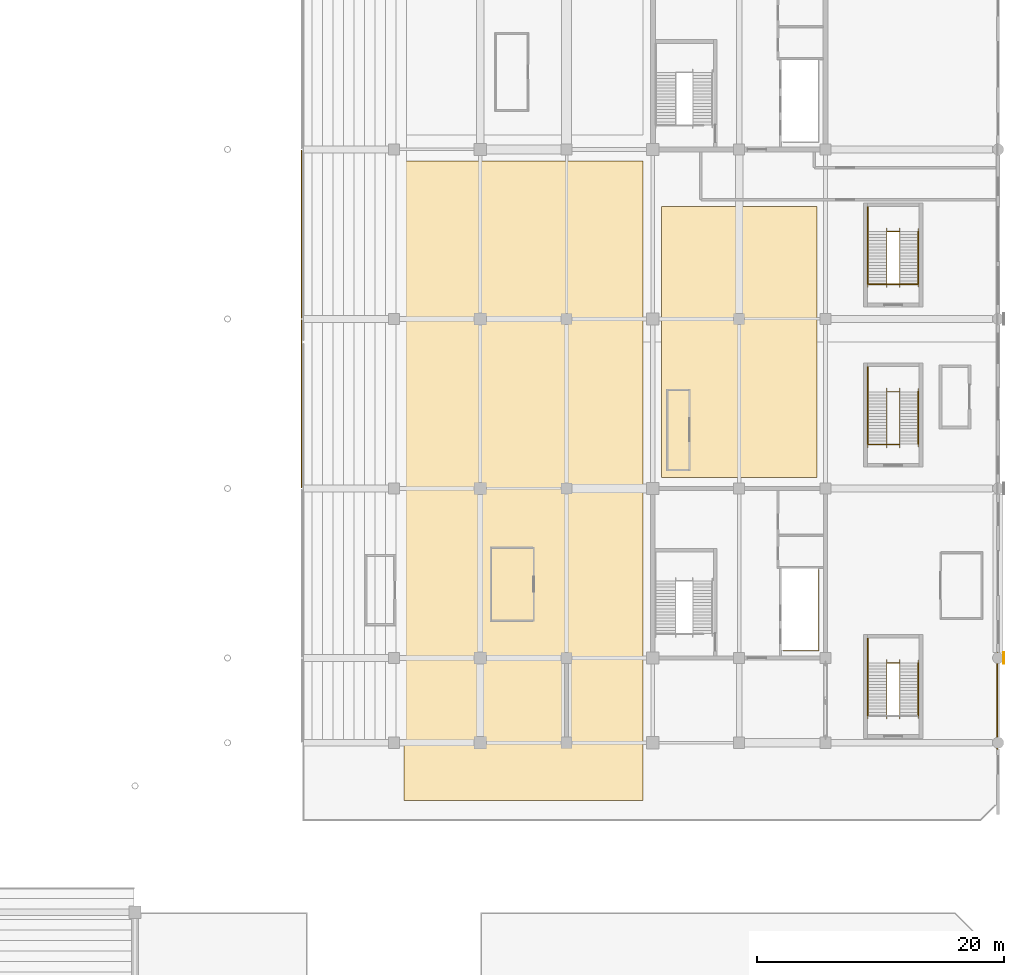
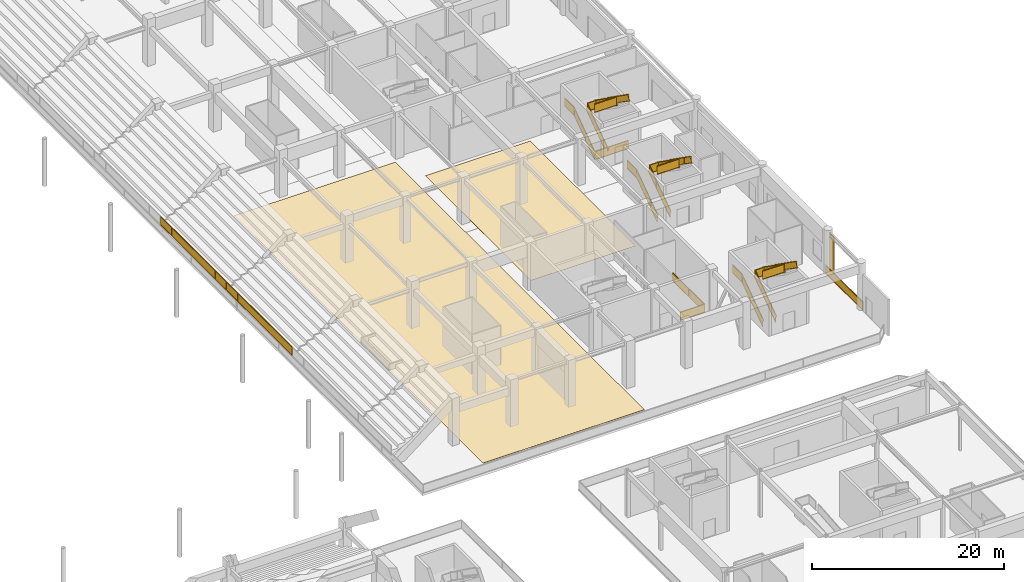
# One storey, part 65 of 73: 14 railings, 3 coverings.
"""IFC4 building model written with IfcOpenShell, lengths in metres."""

from ifc_helpers import new_model, si_unit, direction, frame, origin, origin_2d, place, context, subcontext, project, spatial, polyline, rectangle, outline, extrude, material, layer, layer_set, type_object, element, save


model = new_model("IFC4")

# Units and contexts
model_context = context("Model", 3, precision=1e-05, world=origin(), true_north=direction((0.0, 1.0)))
body_context = subcontext(model_context, "Body", "Model", "MODEL_VIEW")
ifc_project = project(units=[si_unit("LENGTHUNIT", "METRE"), si_unit("AREAUNIT", "SQUARE_METRE"), si_unit("VOLUMEUNIT", "CUBIC_METRE"), si_unit("PLANEANGLEUNIT", "RADIAN"), si_unit("MASSUNIT", "GRAM", prefix="KILO")], contexts=[model_context])

# Site, building, storey
site_placement = place(None, origin())
site = spatial("IfcSite", under=ifc_project, at=site_placement, CompositionType="ELEMENT")
building_placement = place(site_placement, origin())
building = spatial("IfcBuilding", under=site, at=building_placement, Name="Linyun Crest Stadium", CompositionType="ELEMENT")
storey_placement = place(building_placement, origin())
storey = spatial("IfcBuildingStorey", under=building, at=storey_placement, Name="L01", CompositionType="ELEMENT", Elevation=0.0)

# Coverings
ifc_material_1 = material(Name="Precast concrete C40 fluted pier cladding", Category="concrete")
ifc_layer_1 = layer(ifc_material_1, 0.0400390625)
ifc_layer_set_1 = layer_set([ifc_layer_1], Name="Precast concrete C40 fluted pier cladding")
covering_type_1 = type_object("IfcCoveringType", Name="CLD01", PredefinedType="CLADDING", material=ifc_layer_set_1)
covering_1_placement = place(storey_placement, frame((98.449951171875, -39.125, 0.0), z_axis=(0.0, 0.0, 1.0), x_axis=(1.0, 0.0, 0.0)))
element("IfcCovering", 1, at=covering_1_placement, inside=storey, type_object=covering_type_1, Name="Red sandstone pier cladding CLD01 4", PredefinedType="CLADDING", context=body_context, shape_type="SweptSolid", body=[
    extrude(rectangle(XDim=0.06005859375, YDim=0.89990234375, at=origin_2d()), origin(), (0.0, 0.0, 1.0), 5.0),
])
ifc_material_2 = material(Name="Polymeric cushioned multi-sport athletic flooring")
ifc_layer_2 = layer(ifc_material_2, 0.01806640625)
ifc_layer_set_2 = layer_set([ifc_layer_2], Name="Polymeric cushioned multi-sport athletic flooring")
covering_type_2 = type_object("IfcCoveringType", Name="FLR01", PredefinedType="FLOORING", material=ifc_layer_set_2)
covering_2_placement = place(storey_placement, origin())
element("IfcCovering", 2, at=covering_2_placement, inside=storey, type_object=covering_type_2, Name="Athletic flooring FLR01 11", PredefinedType="FLOORING", context=body_context, shape_type="SweptSolid", body=[
    extrude(outline(polyline([(49.800048828125, -50.699951171875), (69.199951171875, -50.699951171875), (69.199951171875, 1.199951171875), (49.800048828125, 1.199951171875), (49.800048828125, -50.699951171875)])), origin(), (0.0, 0.0, 1.0), 0.01806640625),
])
covering_3_placement = place(storey_placement, origin())
element("IfcCovering", 3, at=covering_3_placement, inside=storey, type_object=covering_type_2, Name="Athletic flooring FLR01 13", PredefinedType="FLOORING", context=body_context, shape_type="SweptSolid", body=[
    extrude(outline(polyline([(70.699951171875, -24.5), (83.300048828125, -24.5), (83.300048828125, -2.5), (70.699951171875, -2.5), (70.699951171875, -24.5)])), origin(), (0.0, 0.0, 1.0), 0.01806640625),
])

# Railings
ifc_material_3 = material(Name="Galvanized and powder-coated steel bowl safety barrier", Category="steel")
railing_type_1 = type_object("IfcRailingType", Name="GR02", PredefinedType="GUARDRAIL", material=ifc_material_3)
for number, where, name in (
    (4, (41.5, -25.294921875, 1.199951171875), "Bowl front safety guard GR02 21"),
    (5, (41.5, -11.544921875, 1.199951171875), "Bowl front safety guard GR02 29"),
):
    element("IfcRailing", number, at=place(storey_placement, frame(where)), inside=storey, type_object=railing_type_1, Name=name, PredefinedType="GUARDRAIL", context=body_context, shape_type="SweptSolid", body=[
        extrude(rectangle(XDim=0.06005859375, YDim=0.06005859375, at=origin_2d()), frame((0.0, 0.0, 1.090087890625), z_axis=(0.0, 1.0, 0.0), x_axis=(-1.0, 0.0, 0.0)), (0.0, 0.0, 1.0), 13.58984375),
        extrude(rectangle(XDim=0.030029296875, YDim=1.0, at=origin_2d()), frame((0.0, 0.0, 0.56005859375), z_axis=(0.0, 1.0, 0.0), x_axis=(-1.0, 0.0, 0.0)), (0.0, 0.0, 1.0), 13.58984375),
        extrude(rectangle(XDim=0.06005859375, YDim=0.06005859375, at=origin_2d()), frame((0.0, 0.0, 0.030029296875), z_axis=(0.0, 1.0, 0.0), x_axis=(-1.0, 0.0, 0.0)), (0.0, 0.0, 1.0), 13.58984375),
        extrude(rectangle(XDim=0.050048828125, YDim=0.050048828125, at=origin_2d()), origin(), (0.0, 0.0, 1.0), 1.1201171875),
        extrude(rectangle(XDim=0.050048828125, YDim=0.050048828125, at=origin_2d()), frame((0.0, 2.264892578125, 0.0)), (0.0, 0.0, 1.0), 1.1201171875),
        extrude(rectangle(XDim=0.050048828125, YDim=0.050048828125, at=origin_2d()), frame((0.0, 4.530029296875, 0.0)), (0.0, 0.0, 1.0), 1.1201171875),
        extrude(rectangle(XDim=0.050048828125, YDim=0.050048828125, at=origin_2d()), frame((0.0, 6.794921875, 0.0)), (0.0, 0.0, 1.0), 1.1201171875),
        extrude(rectangle(XDim=0.050048828125, YDim=0.050048828125, at=origin_2d()), frame((0.0, 9.059814453125, 0.0)), (0.0, 0.0, 1.0), 1.1201171875),
        extrude(rectangle(XDim=0.050048828125, YDim=0.050048828125, at=origin_2d()), frame((0.0, 11.324951171875, 0.0)), (0.0, 0.0, 1.0), 1.1201171875),
        extrude(rectangle(XDim=0.050048828125, YDim=0.050048828125, at=origin_2d()), frame((0.0, 13.58984375, 0.0)), (0.0, 0.0, 1.0), 1.1201171875),
    ])
railing_1_placement = place(storey_placement, frame((97.93994140625, -38.68505859375, 0.0)))
element("IfcRailing", 6, at=railing_1_placement, inside=storey, type_object=railing_type_1, Name="Slab edge balustrade GR02 102", PredefinedType="GUARDRAIL", context=body_context, shape_type="SweptSolid", body=[
    extrude(rectangle(XDim=0.06005859375, YDim=0.06005859375, at=origin_2d()), frame((0.0, 0.0, 1.090087890625), z_axis=(0.0, -1.0, 0.0), x_axis=(1.0, 0.0, 0.0)), (0.0, 0.0, 1.0), 7.81494140625),
    extrude(rectangle(XDim=0.030029296875, YDim=1.0, at=origin_2d()), frame((0.0, 0.0, 0.56005859375), z_axis=(0.0, -1.0, 0.0), x_axis=(1.0, 0.0, 0.0)), (0.0, 0.0, 1.0), 7.81494140625),
    extrude(rectangle(XDim=0.06005859375, YDim=0.06005859375, at=origin_2d()), frame((0.0, 0.0, 0.030029296875), z_axis=(0.0, -1.0, 0.0), x_axis=(1.0, 0.0, 0.0)), (0.0, 0.0, 1.0), 7.81494140625),
    extrude(rectangle(XDim=0.050048828125, YDim=0.050048828125, at=origin_2d()), origin(), (0.0, 0.0, 1.0), 1.1201171875),
    extrude(rectangle(XDim=0.050048828125, YDim=0.050048828125, at=origin_2d()), frame((0.0, -3.907470703125, 0.0)), (0.0, 0.0, 1.0), 1.1201171875),
    extrude(rectangle(XDim=0.050048828125, YDim=0.050048828125, at=origin_2d()), frame((0.0, -7.81494140625, 0.0)), (0.0, 0.0, 1.0), 1.1201171875),
])
railing_2_placement = place(storey_placement, frame((80.580078125, -38.534912109375, 0.0)))
element("IfcRailing", 7, at=railing_2_placement, inside=storey, type_object=railing_type_1, Name="Slab edge balustrade GR02 105", PredefinedType="GUARDRAIL", context=body_context, shape_type="SweptSolid", body=[
    extrude(rectangle(XDim=0.06005859375, YDim=0.06005859375, at=origin_2d()), frame((0.0, 0.0, 1.090087890625), z_axis=(1.0, 0.0, 0.0), x_axis=(0.0, 1.0, 0.0)), (0.0, 0.0, 1.0), 2.8798828125),
    extrude(rectangle(XDim=0.030029296875, YDim=1.0, at=origin_2d()), frame((0.0, 0.0, 0.56005859375), z_axis=(1.0, 0.0, 0.0), x_axis=(0.0, 1.0, 0.0)), (0.0, 0.0, 1.0), 2.8798828125),
    extrude(rectangle(XDim=0.06005859375, YDim=0.06005859375, at=origin_2d()), frame((0.0, 0.0, 0.030029296875), z_axis=(1.0, 0.0, 0.0), x_axis=(0.0, 1.0, 0.0)), (0.0, 0.0, 1.0), 2.8798828125),
    extrude(rectangle(XDim=0.06005859375, YDim=0.06005859375, at=origin_2d()), frame((2.8798828125, 0.0, 1.090087890625), z_axis=(0.0, 1.0, 0.0), x_axis=(-1.0, 0.0, 0.0)), (0.0, 0.0, 1.0), 6.5498046875),
    extrude(rectangle(XDim=0.030029296875, YDim=1.0, at=origin_2d()), frame((2.8798828125, 0.0, 0.56005859375), z_axis=(0.0, 1.0, 0.0), x_axis=(-1.0, 0.0, 0.0)), (0.0, 0.0, 1.0), 6.5498046875),
    extrude(rectangle(XDim=0.06005859375, YDim=0.06005859375, at=origin_2d()), frame((2.8798828125, 0.0, 0.030029296875), z_axis=(0.0, 1.0, 0.0), x_axis=(-1.0, 0.0, 0.0)), (0.0, 0.0, 1.0), 6.5498046875),
    extrude(rectangle(XDim=0.050048828125, YDim=0.050048828125, at=origin_2d()), origin(), (0.0, 0.0, 1.0), 1.1201171875),
    extrude(rectangle(XDim=0.050048828125, YDim=0.050048828125, at=origin_2d()), frame((2.8798828125, 0.0, 0.0)), (0.0, 0.0, 1.0), 1.1201171875),
    extrude(rectangle(XDim=0.050048828125, YDim=0.050048828125, at=origin_2d()), frame((2.8798828125, 3.27490234375, 0.0)), (0.0, 0.0, 1.0), 1.1201171875),
    extrude(rectangle(XDim=0.050048828125, YDim=0.050048828125, at=origin_2d()), frame((2.8798828125, 6.5498046875, 0.0)), (0.0, 0.0, 1.0), 1.1201171875),
])
railing_3_placement = place(storey_placement, frame((87.5400390625, -8.81005859375, 0.0)))
element("IfcRailing", 8, at=railing_3_placement, inside=storey, type_object=railing_type_1, Name="Slab edge balustrade GR02 112", PredefinedType="GUARDRAIL", context=body_context, shape_type="SweptSolid", body=[
    extrude(rectangle(XDim=0.06005859375, YDim=0.06005859375, at=origin_2d()), frame((0.0, 0.0, 1.090087890625), z_axis=(1.0, 0.0, 0.0), x_axis=(0.0, 1.0, 0.0)), (0.0, 0.0, 1.0), 3.919921875),
    extrude(rectangle(XDim=0.030029296875, YDim=1.0, at=origin_2d()), frame((0.0, 0.0, 0.56005859375), z_axis=(1.0, 0.0, 0.0), x_axis=(0.0, 1.0, 0.0)), (0.0, 0.0, 1.0), 3.919921875),
    extrude(rectangle(XDim=0.06005859375, YDim=0.06005859375, at=origin_2d()), frame((0.0, 0.0, 0.030029296875), z_axis=(1.0, 0.0, 0.0), x_axis=(0.0, 1.0, 0.0)), (0.0, 0.0, 1.0), 3.919921875),
    extrude(rectangle(XDim=0.050048828125, YDim=0.050048828125, at=origin_2d()), origin(), (0.0, 0.0, 1.0), 1.1201171875),
    extrude(rectangle(XDim=0.050048828125, YDim=0.050048828125, at=origin_2d()), frame((3.919921875, 0.0, 0.0)), (0.0, 0.0, 1.0), 1.1201171875),
])
ifc_material_4 = material(Name="Painted steel stairwell safety guard", Category="steel")
railing_type_2 = type_object("IfcRailingType", Name="GR03", PredefinedType="GUARDRAIL", material=ifc_material_4)
railing_4_placement = place(storey_placement, frame((87.429931640625, -43.780029296875, 0.0)))
element("IfcRailing", 9, at=railing_4_placement, inside=storey, type_object=railing_type_2, Name="STR-18-L01 outer guard", PredefinedType="GUARDRAIL", context=body_context, shape_type="SweptSolid", body=[
    extrude(rectangle(XDim=0.06005859375, YDim=0.06005859375, at=origin_2d()), frame((0.0, 0.0, 1.090087890625), z_axis=(0.0, 0.816967863265, 0.576683197599), x_axis=(-1.0, 0.0, 0.0)), (0.0, 0.0, 1.0), 5.2021484375),
    extrude(rectangle(XDim=0.030029296875, YDim=1.0, at=origin_2d()), frame((0.0, 0.0, 0.56005859375), z_axis=(0.0, 0.816967863265, 0.576683197599), x_axis=(-1.0, 0.0, 0.0)), (0.0, 0.0, 1.0), 5.2021484375),
    extrude(rectangle(XDim=0.06005859375, YDim=0.06005859375, at=origin_2d()), frame((0.0, 0.0, 0.030029296875), z_axis=(0.0, 0.816967863265, 0.576683197599), x_axis=(-1.0, 0.0, 0.0)), (0.0, 0.0, 1.0), 5.2021484375),
    extrude(rectangle(XDim=0.06005859375, YDim=0.06005859375, at=origin_2d()), frame((0.0, 4.25, 4.090087890625), z_axis=(0.0, 1.0, 0.0), x_axis=(-1.0, 0.0, 0.0)), (0.0, 0.0, 1.0), 2.0),
    extrude(rectangle(XDim=0.030029296875, YDim=1.0, at=origin_2d()), frame((0.0, 4.25, 3.56005859375), z_axis=(0.0, 1.0, 0.0), x_axis=(-1.0, 0.0, 0.0)), (0.0, 0.0, 1.0), 2.0),
    extrude(rectangle(XDim=0.06005859375, YDim=0.06005859375, at=origin_2d()), frame((0.0, 4.25, 3.030029296875), z_axis=(0.0, 1.0, 0.0), x_axis=(-1.0, 0.0, 0.0)), (0.0, 0.0, 1.0), 2.0),
    extrude(rectangle(XDim=0.050048828125, YDim=0.050048828125, at=origin_2d()), origin(), (0.0, 0.0, 1.0), 1.1201171875),
    extrude(rectangle(XDim=0.050048828125, YDim=0.050048828125, at=origin_2d()), frame((0.0, 1.416748046875, 1.0)), (0.0, 0.0, 1.0), 1.1201171875),
    extrude(rectangle(XDim=0.050048828125, YDim=0.050048828125, at=origin_2d()), frame((0.0, 2.833251953125, 2.0)), (0.0, 0.0, 1.0), 1.1201171875),
    extrude(rectangle(XDim=0.050048828125, YDim=0.050048828125, at=origin_2d()), frame((0.0, 4.25, 3.0)), (0.0, 0.0, 1.0), 1.1201171875),
    extrude(rectangle(XDim=0.050048828125, YDim=0.050048828125, at=origin_2d()), frame((0.0, 6.25, 3.0)), (0.0, 0.0, 1.0), 1.1201171875),
])
railing_5_placement = place(storey_placement, frame((88.969970703125, -43.800048828125, 0.0)))
element("IfcRailing", 10, at=railing_5_placement, inside=storey, type_object=railing_type_2, Name="STR-18-L01 inner well guard", PredefinedType="GUARDRAIL", context=body_context, shape_type="SweptSolid", body=[
    extrude(rectangle(XDim=0.06005859375, YDim=0.06005859375, at=origin_2d()), frame((0.0, 0.0, 1.090087890625), z_axis=(0.0, 0.818241657069, 0.574874412926), x_axis=(-1.0, 0.0, 0.0)), (0.0, 0.0, 1.0), 5.218505859375),
    extrude(rectangle(XDim=0.030029296875, YDim=1.0, at=origin_2d()), frame((0.0, 0.0, 0.56005859375), z_axis=(0.0, 0.818241657069, 0.574874412926), x_axis=(-1.0, 0.0, 0.0)), (0.0, 0.0, 1.0), 5.218505859375),
    extrude(rectangle(XDim=0.06005859375, YDim=0.06005859375, at=origin_2d()), frame((0.0, 0.0, 0.030029296875), z_axis=(0.0, 0.818241657069, 0.574874412926), x_axis=(-1.0, 0.0, 0.0)), (0.0, 0.0, 1.0), 5.218505859375),
    extrude(rectangle(XDim=0.06005859375, YDim=0.06005859375, at=origin_2d()), frame((0.0, 4.27001953125, 4.090087890625), z_axis=(1.0, 0.0, 0.0), x_axis=(0.0, 1.0, 0.0)), (0.0, 0.0, 1.0), 1.06005859375),
    extrude(rectangle(XDim=0.030029296875, YDim=1.0, at=origin_2d()), frame((0.0, 4.27001953125, 3.56005859375), z_axis=(1.0, 0.0, 0.0), x_axis=(0.0, 1.0, 0.0)), (0.0, 0.0, 1.0), 1.06005859375),
    extrude(rectangle(XDim=0.06005859375, YDim=0.06005859375, at=origin_2d()), frame((0.0, 4.27001953125, 3.030029296875), z_axis=(1.0, 0.0, 0.0), x_axis=(0.0, 1.0, 0.0)), (0.0, 0.0, 1.0), 1.06005859375),
    extrude(rectangle(XDim=0.06005859375, YDim=0.06005859375, at=origin_2d()), frame((1.06005859375, 4.27001953125, 4.090087890625), z_axis=(0.0, -0.818241657069, 0.574874412926), x_axis=(1.0, 0.0, 0.0)), (0.0, 0.0, 1.0), 5.218505859375),
    extrude(rectangle(XDim=0.030029296875, YDim=1.0, at=origin_2d()), frame((1.06005859375, 4.27001953125, 3.56005859375), z_axis=(0.0, -0.818241657069, 0.574874412926), x_axis=(1.0, 0.0, 0.0)), (0.0, 0.0, 1.0), 5.218505859375),
    extrude(rectangle(XDim=0.06005859375, YDim=0.06005859375, at=origin_2d()), frame((1.06005859375, 4.27001953125, 3.030029296875), z_axis=(0.0, -0.818241657069, 0.574874412926), x_axis=(1.0, 0.0, 0.0)), (0.0, 0.0, 1.0), 5.218505859375),
    extrude(rectangle(XDim=0.06005859375, YDim=0.06005859375, at=origin_2d()), frame((1.06005859375, 0.0, 7.090087890625), z_axis=(-1.0, 0.0, 0.0), x_axis=(0.0, -1.0, 0.0)), (0.0, 0.0, 1.0), 2.610107421875),
    extrude(rectangle(XDim=0.030029296875, YDim=1.0, at=origin_2d()), frame((1.06005859375, 0.0, 6.56005859375), z_axis=(-1.0, 0.0, 0.0), x_axis=(0.0, -1.0, 0.0)), (0.0, 0.0, 1.0), 2.610107421875),
    extrude(rectangle(XDim=0.06005859375, YDim=0.06005859375, at=origin_2d()), frame((1.06005859375, 0.0, 6.030029296875), z_axis=(-1.0, 0.0, 0.0), x_axis=(0.0, -1.0, 0.0)), (0.0, 0.0, 1.0), 2.610107421875),
    extrude(rectangle(XDim=0.050048828125, YDim=0.050048828125, at=origin_2d()), origin(), (0.0, 0.0, 1.0), 1.1201171875),
    extrude(rectangle(XDim=0.050048828125, YDim=0.050048828125, at=origin_2d()), frame((0.0, 1.42333984375, 1.0)), (0.0, 0.0, 1.0), 1.1201171875),
    extrude(rectangle(XDim=0.050048828125, YDim=0.050048828125, at=origin_2d()), frame((0.0, 2.8466796875, 2.0)), (0.0, 0.0, 1.0), 1.1201171875),
    extrude(rectangle(XDim=0.050048828125, YDim=0.050048828125, at=origin_2d()), frame((0.0, 4.27001953125, 3.0)), (0.0, 0.0, 1.0), 1.1201171875),
    extrude(rectangle(XDim=0.050048828125, YDim=0.050048828125, at=origin_2d()), frame((1.06005859375, 4.27001953125, 3.0)), (0.0, 0.0, 1.0), 1.1201171875),
    extrude(rectangle(XDim=0.050048828125, YDim=0.050048828125, at=origin_2d()), frame((1.06005859375, 2.8466796875, 4.0)), (0.0, 0.0, 1.0), 1.1201171875),
    extrude(rectangle(XDim=0.050048828125, YDim=0.050048828125, at=origin_2d()), frame((1.06005859375, 1.42333984375, 5.0)), (0.0, 0.0, 1.0), 1.1201171875),
    extrude(rectangle(XDim=0.050048828125, YDim=0.050048828125, at=origin_2d()), frame((1.06005859375, 0.0, 6.0)), (0.0, 0.0, 1.0), 1.1201171875),
    extrude(rectangle(XDim=0.050048828125, YDim=0.050048828125, at=origin_2d()), frame((-0.2451171875, 0.0, 6.0)), (0.0, 0.0, 1.0), 1.1201171875),
    extrude(rectangle(XDim=0.050048828125, YDim=0.050048828125, at=origin_2d()), frame((-1.550048828125, 0.0, 6.0)), (0.0, 0.0, 1.0), 1.1201171875),
])
railing_6_placement = place(storey_placement, frame((87.429931640625, -21.780029296875, 0.0)))
element("IfcRailing", 11, at=railing_6_placement, inside=storey, type_object=railing_type_2, Name="STR-19-L01 outer guard", PredefinedType="GUARDRAIL", context=body_context, shape_type="SweptSolid", body=[
    extrude(rectangle(XDim=0.06005859375, YDim=0.06005859375, at=origin_2d()), frame((0.0, 0.0, 1.090087890625), z_axis=(0.0, 0.816967863265, 0.576683197599), x_axis=(-1.0, 0.0, 0.0)), (0.0, 0.0, 1.0), 5.2021484375),
    extrude(rectangle(XDim=0.030029296875, YDim=1.0, at=origin_2d()), frame((0.0, 0.0, 0.56005859375), z_axis=(0.0, 0.816967863265, 0.576683197599), x_axis=(-1.0, 0.0, 0.0)), (0.0, 0.0, 1.0), 5.2021484375),
    extrude(rectangle(XDim=0.06005859375, YDim=0.06005859375, at=origin_2d()), frame((0.0, 0.0, 0.030029296875), z_axis=(0.0, 0.816967863265, 0.576683197599), x_axis=(-1.0, 0.0, 0.0)), (0.0, 0.0, 1.0), 5.2021484375),
    extrude(rectangle(XDim=0.06005859375, YDim=0.06005859375, at=origin_2d()), frame((0.0, 4.25, 4.090087890625), z_axis=(0.0, 1.0, 0.0), x_axis=(-1.0, 0.0, 0.0)), (0.0, 0.0, 1.0), 2.0),
    extrude(rectangle(XDim=0.030029296875, YDim=1.0, at=origin_2d()), frame((0.0, 4.25, 3.56005859375), z_axis=(0.0, 1.0, 0.0), x_axis=(-1.0, 0.0, 0.0)), (0.0, 0.0, 1.0), 2.0),
    extrude(rectangle(XDim=0.06005859375, YDim=0.06005859375, at=origin_2d()), frame((0.0, 4.25, 3.030029296875), z_axis=(0.0, 1.0, 0.0), x_axis=(-1.0, 0.0, 0.0)), (0.0, 0.0, 1.0), 2.0),
    extrude(rectangle(XDim=0.050048828125, YDim=0.050048828125, at=origin_2d()), origin(), (0.0, 0.0, 1.0), 1.1201171875),
    extrude(rectangle(XDim=0.050048828125, YDim=0.050048828125, at=origin_2d()), frame((0.0, 1.416748046875, 1.0)), (0.0, 0.0, 1.0), 1.1201171875),
    extrude(rectangle(XDim=0.050048828125, YDim=0.050048828125, at=origin_2d()), frame((0.0, 2.833251953125, 2.0)), (0.0, 0.0, 1.0), 1.1201171875),
    extrude(rectangle(XDim=0.050048828125, YDim=0.050048828125, at=origin_2d()), frame((0.0, 4.25, 3.0)), (0.0, 0.0, 1.0), 1.1201171875),
    extrude(rectangle(XDim=0.050048828125, YDim=0.050048828125, at=origin_2d()), frame((0.0, 6.25, 3.0)), (0.0, 0.0, 1.0), 1.1201171875),
])
railing_7_placement = place(storey_placement, frame((88.969970703125, -21.800048828125, 0.0)))
element("IfcRailing", 12, at=railing_7_placement, inside=storey, type_object=railing_type_2, Name="STR-19-L01 inner well guard", PredefinedType="GUARDRAIL", context=body_context, shape_type="SweptSolid", body=[
    extrude(rectangle(XDim=0.06005859375, YDim=0.06005859375, at=origin_2d()), frame((0.0, 0.0, 1.090087890625), z_axis=(0.0, 0.818241657069, 0.574874412926), x_axis=(-1.0, 0.0, 0.0)), (0.0, 0.0, 1.0), 5.218505859375),
    extrude(rectangle(XDim=0.030029296875, YDim=1.0, at=origin_2d()), frame((0.0, 0.0, 0.56005859375), z_axis=(0.0, 0.818241657069, 0.574874412926), x_axis=(-1.0, 0.0, 0.0)), (0.0, 0.0, 1.0), 5.218505859375),
    extrude(rectangle(XDim=0.06005859375, YDim=0.06005859375, at=origin_2d()), frame((0.0, 0.0, 0.030029296875), z_axis=(0.0, 0.818241657069, 0.574874412926), x_axis=(-1.0, 0.0, 0.0)), (0.0, 0.0, 1.0), 5.218505859375),
    extrude(rectangle(XDim=0.06005859375, YDim=0.06005859375, at=origin_2d()), frame((0.0, 4.27001953125, 4.090087890625), z_axis=(1.0, 0.0, 0.0), x_axis=(0.0, 1.0, 0.0)), (0.0, 0.0, 1.0), 1.06005859375),
    extrude(rectangle(XDim=0.030029296875, YDim=1.0, at=origin_2d()), frame((0.0, 4.27001953125, 3.56005859375), z_axis=(1.0, 0.0, 0.0), x_axis=(0.0, 1.0, 0.0)), (0.0, 0.0, 1.0), 1.06005859375),
    extrude(rectangle(XDim=0.06005859375, YDim=0.06005859375, at=origin_2d()), frame((0.0, 4.27001953125, 3.030029296875), z_axis=(1.0, 0.0, 0.0), x_axis=(0.0, 1.0, 0.0)), (0.0, 0.0, 1.0), 1.06005859375),
    extrude(rectangle(XDim=0.06005859375, YDim=0.06005859375, at=origin_2d()), frame((1.06005859375, 4.27001953125, 4.090087890625), z_axis=(0.0, -0.818241657069, 0.574874412926), x_axis=(1.0, 0.0, 0.0)), (0.0, 0.0, 1.0), 5.218505859375),
    extrude(rectangle(XDim=0.030029296875, YDim=1.0, at=origin_2d()), frame((1.06005859375, 4.27001953125, 3.56005859375), z_axis=(0.0, -0.818241657069, 0.574874412926), x_axis=(1.0, 0.0, 0.0)), (0.0, 0.0, 1.0), 5.218505859375),
    extrude(rectangle(XDim=0.06005859375, YDim=0.06005859375, at=origin_2d()), frame((1.06005859375, 4.27001953125, 3.030029296875), z_axis=(0.0, -0.818241657069, 0.574874412926), x_axis=(1.0, 0.0, 0.0)), (0.0, 0.0, 1.0), 5.218505859375),
    extrude(rectangle(XDim=0.06005859375, YDim=0.06005859375, at=origin_2d()), frame((1.06005859375, 0.0, 7.090087890625), z_axis=(-1.0, 0.0, 0.0), x_axis=(0.0, -1.0, 0.0)), (0.0, 0.0, 1.0), 2.610107421875),
    extrude(rectangle(XDim=0.030029296875, YDim=1.0, at=origin_2d()), frame((1.06005859375, 0.0, 6.56005859375), z_axis=(-1.0, 0.0, 0.0), x_axis=(0.0, -1.0, 0.0)), (0.0, 0.0, 1.0), 2.610107421875),
    extrude(rectangle(XDim=0.06005859375, YDim=0.06005859375, at=origin_2d()), frame((1.06005859375, 0.0, 6.030029296875), z_axis=(-1.0, 0.0, 0.0), x_axis=(0.0, -1.0, 0.0)), (0.0, 0.0, 1.0), 2.610107421875),
    extrude(rectangle(XDim=0.050048828125, YDim=0.050048828125, at=origin_2d()), origin(), (0.0, 0.0, 1.0), 1.1201171875),
    extrude(rectangle(XDim=0.050048828125, YDim=0.050048828125, at=origin_2d()), frame((0.0, 1.42333984375, 1.0)), (0.0, 0.0, 1.0), 1.1201171875),
    extrude(rectangle(XDim=0.050048828125, YDim=0.050048828125, at=origin_2d()), frame((0.0, 2.8466796875, 2.0)), (0.0, 0.0, 1.0), 1.1201171875),
    extrude(rectangle(XDim=0.050048828125, YDim=0.050048828125, at=origin_2d()), frame((0.0, 4.27001953125, 3.0)), (0.0, 0.0, 1.0), 1.1201171875),
    extrude(rectangle(XDim=0.050048828125, YDim=0.050048828125, at=origin_2d()), frame((1.06005859375, 4.27001953125, 3.0)), (0.0, 0.0, 1.0), 1.1201171875),
    extrude(rectangle(XDim=0.050048828125, YDim=0.050048828125, at=origin_2d()), frame((1.06005859375, 2.8466796875, 4.0)), (0.0, 0.0, 1.0), 1.1201171875),
    extrude(rectangle(XDim=0.050048828125, YDim=0.050048828125, at=origin_2d()), frame((1.06005859375, 1.42333984375, 5.0)), (0.0, 0.0, 1.0), 1.1201171875),
    extrude(rectangle(XDim=0.050048828125, YDim=0.050048828125, at=origin_2d()), frame((1.06005859375, 0.0, 6.0)), (0.0, 0.0, 1.0), 1.1201171875),
    extrude(rectangle(XDim=0.050048828125, YDim=0.050048828125, at=origin_2d()), frame((-0.2451171875, 0.0, 6.0)), (0.0, 0.0, 1.0), 1.1201171875),
    extrude(rectangle(XDim=0.050048828125, YDim=0.050048828125, at=origin_2d()), frame((-1.550048828125, 0.0, 6.0)), (0.0, 0.0, 1.0), 1.1201171875),
])
railing_8_placement = place(storey_placement, frame((87.429931640625, -8.780029296875, 0.0)))
element("IfcRailing", 13, at=railing_8_placement, inside=storey, type_object=railing_type_2, Name="STR-20-L01 outer guard", PredefinedType="GUARDRAIL", context=body_context, shape_type="SweptSolid", body=[
    extrude(rectangle(XDim=0.06005859375, YDim=0.06005859375, at=origin_2d()), frame((0.0, 0.0, 1.090087890625), z_axis=(0.0, 0.816967863265, 0.576683197599), x_axis=(-1.0, 0.0, 0.0)), (0.0, 0.0, 1.0), 5.2021484375),
    extrude(rectangle(XDim=0.030029296875, YDim=1.0, at=origin_2d()), frame((0.0, 0.0, 0.56005859375), z_axis=(0.0, 0.816967863265, 0.576683197599), x_axis=(-1.0, 0.0, 0.0)), (0.0, 0.0, 1.0), 5.2021484375),
    extrude(rectangle(XDim=0.06005859375, YDim=0.06005859375, at=origin_2d()), frame((0.0, 0.0, 0.030029296875), z_axis=(0.0, 0.816967863265, 0.576683197599), x_axis=(-1.0, 0.0, 0.0)), (0.0, 0.0, 1.0), 5.2021484375),
    extrude(rectangle(XDim=0.06005859375, YDim=0.06005859375, at=origin_2d()), frame((0.0, 4.25, 4.090087890625), z_axis=(0.0, 1.0, 0.0), x_axis=(-1.0, 0.0, 0.0)), (0.0, 0.0, 1.0), 2.0),
    extrude(rectangle(XDim=0.030029296875, YDim=1.0, at=origin_2d()), frame((0.0, 4.25, 3.56005859375), z_axis=(0.0, 1.0, 0.0), x_axis=(-1.0, 0.0, 0.0)), (0.0, 0.0, 1.0), 2.0),
    extrude(rectangle(XDim=0.06005859375, YDim=0.06005859375, at=origin_2d()), frame((0.0, 4.25, 3.030029296875), z_axis=(0.0, 1.0, 0.0), x_axis=(-1.0, 0.0, 0.0)), (0.0, 0.0, 1.0), 2.0),
    extrude(rectangle(XDim=0.050048828125, YDim=0.050048828125, at=origin_2d()), origin(), (0.0, 0.0, 1.0), 1.1201171875),
    extrude(rectangle(XDim=0.050048828125, YDim=0.050048828125, at=origin_2d()), frame((0.0, 1.416748046875, 1.0)), (0.0, 0.0, 1.0), 1.1201171875),
    extrude(rectangle(XDim=0.050048828125, YDim=0.050048828125, at=origin_2d()), frame((0.0, 2.833251953125, 2.0)), (0.0, 0.0, 1.0), 1.1201171875),
    extrude(rectangle(XDim=0.050048828125, YDim=0.050048828125, at=origin_2d()), frame((0.0, 4.25, 3.0)), (0.0, 0.0, 1.0), 1.1201171875),
    extrude(rectangle(XDim=0.050048828125, YDim=0.050048828125, at=origin_2d()), frame((0.0, 6.25, 3.0)), (0.0, 0.0, 1.0), 1.1201171875),
])
railing_9_placement = place(storey_placement, frame((88.969970703125, -8.800048828125, 0.0)))
element("IfcRailing", 14, at=railing_9_placement, inside=storey, type_object=railing_type_2, Name="STR-20-L01 inner well guard", PredefinedType="GUARDRAIL", context=body_context, shape_type="SweptSolid", body=[
    extrude(rectangle(XDim=0.06005859375, YDim=0.06005859375, at=origin_2d()), frame((0.0, 0.0, 1.090087890625), z_axis=(0.0, 0.818241657069, 0.574874412926), x_axis=(-1.0, 0.0, 0.0)), (0.0, 0.0, 1.0), 5.218505859375),
    extrude(rectangle(XDim=0.030029296875, YDim=1.0, at=origin_2d()), frame((0.0, 0.0, 0.56005859375), z_axis=(0.0, 0.818241657069, 0.574874412926), x_axis=(-1.0, 0.0, 0.0)), (0.0, 0.0, 1.0), 5.218505859375),
    extrude(rectangle(XDim=0.06005859375, YDim=0.06005859375, at=origin_2d()), frame((0.0, 0.0, 0.030029296875), z_axis=(0.0, 0.818241657069, 0.574874412926), x_axis=(-1.0, 0.0, 0.0)), (0.0, 0.0, 1.0), 5.218505859375),
    extrude(rectangle(XDim=0.06005859375, YDim=0.06005859375, at=origin_2d()), frame((0.0, 4.27001953125, 4.090087890625), z_axis=(1.0, 0.0, 0.0), x_axis=(0.0, 1.0, 0.0)), (0.0, 0.0, 1.0), 1.06005859375),
    extrude(rectangle(XDim=0.030029296875, YDim=1.0, at=origin_2d()), frame((0.0, 4.27001953125, 3.56005859375), z_axis=(1.0, 0.0, 0.0), x_axis=(0.0, 1.0, 0.0)), (0.0, 0.0, 1.0), 1.06005859375),
    extrude(rectangle(XDim=0.06005859375, YDim=0.06005859375, at=origin_2d()), frame((0.0, 4.27001953125, 3.030029296875), z_axis=(1.0, 0.0, 0.0), x_axis=(0.0, 1.0, 0.0)), (0.0, 0.0, 1.0), 1.06005859375),
    extrude(rectangle(XDim=0.06005859375, YDim=0.06005859375, at=origin_2d()), frame((1.06005859375, 4.27001953125, 4.090087890625), z_axis=(0.0, -0.818241657069, 0.574874412926), x_axis=(1.0, 0.0, 0.0)), (0.0, 0.0, 1.0), 5.218505859375),
    extrude(rectangle(XDim=0.030029296875, YDim=1.0, at=origin_2d()), frame((1.06005859375, 4.27001953125, 3.56005859375), z_axis=(0.0, -0.818241657069, 0.574874412926), x_axis=(1.0, 0.0, 0.0)), (0.0, 0.0, 1.0), 5.218505859375),
    extrude(rectangle(XDim=0.06005859375, YDim=0.06005859375, at=origin_2d()), frame((1.06005859375, 4.27001953125, 3.030029296875), z_axis=(0.0, -0.818241657069, 0.574874412926), x_axis=(1.0, 0.0, 0.0)), (0.0, 0.0, 1.0), 5.218505859375),
    extrude(rectangle(XDim=0.06005859375, YDim=0.06005859375, at=origin_2d()), frame((1.06005859375, 0.0, 7.090087890625), z_axis=(-1.0, 0.0, 0.0), x_axis=(0.0, -1.0, 0.0)), (0.0, 0.0, 1.0), 2.610107421875),
    extrude(rectangle(XDim=0.030029296875, YDim=1.0, at=origin_2d()), frame((1.06005859375, 0.0, 6.56005859375), z_axis=(-1.0, 0.0, 0.0), x_axis=(0.0, -1.0, 0.0)), (0.0, 0.0, 1.0), 2.610107421875),
    extrude(rectangle(XDim=0.06005859375, YDim=0.06005859375, at=origin_2d()), frame((1.06005859375, 0.0, 6.030029296875), z_axis=(-1.0, 0.0, 0.0), x_axis=(0.0, -1.0, 0.0)), (0.0, 0.0, 1.0), 2.610107421875),
    extrude(rectangle(XDim=0.050048828125, YDim=0.050048828125, at=origin_2d()), origin(), (0.0, 0.0, 1.0), 1.1201171875),
    extrude(rectangle(XDim=0.050048828125, YDim=0.050048828125, at=origin_2d()), frame((0.0, 1.42333984375, 1.0)), (0.0, 0.0, 1.0), 1.1201171875),
    extrude(rectangle(XDim=0.050048828125, YDim=0.050048828125, at=origin_2d()), frame((0.0, 2.8466796875, 2.0)), (0.0, 0.0, 1.0), 1.1201171875),
    extrude(rectangle(XDim=0.050048828125, YDim=0.050048828125, at=origin_2d()), frame((0.0, 4.27001953125, 3.0)), (0.0, 0.0, 1.0), 1.1201171875),
    extrude(rectangle(XDim=0.050048828125, YDim=0.050048828125, at=origin_2d()), frame((1.06005859375, 4.27001953125, 3.0)), (0.0, 0.0, 1.0), 1.1201171875),
    extrude(rectangle(XDim=0.050048828125, YDim=0.050048828125, at=origin_2d()), frame((1.06005859375, 2.8466796875, 4.0)), (0.0, 0.0, 1.0), 1.1201171875),
    extrude(rectangle(XDim=0.050048828125, YDim=0.050048828125, at=origin_2d()), frame((1.06005859375, 1.42333984375, 5.0)), (0.0, 0.0, 1.0), 1.1201171875),
    extrude(rectangle(XDim=0.050048828125, YDim=0.050048828125, at=origin_2d()), frame((1.06005859375, 0.0, 6.0)), (0.0, 0.0, 1.0), 1.1201171875),
    extrude(rectangle(XDim=0.050048828125, YDim=0.050048828125, at=origin_2d()), frame((-0.2451171875, 0.0, 6.0)), (0.0, 0.0, 1.0), 1.1201171875),
    extrude(rectangle(XDim=0.050048828125, YDim=0.050048828125, at=origin_2d()), frame((-1.550048828125, 0.0, 6.0)), (0.0, 0.0, 1.0), 1.1201171875),
])
ifc_material_5 = material(Name="Brushed stainless steel tubular handrail", Category="steel")
railing_type_3 = type_object("IfcRailingType", Name="HR01", PredefinedType="HANDRAIL", material=ifc_material_5)
for number, where, name in (
    (15, (91.52001953125, -39.530029296875, 3.0), "STR-18-L01 handrail"),
    (16, (91.52001953125, -17.530029296875, 3.0), "STR-19-L01 handrail"),
    (17, (91.52001953125, -4.530029296875, 3.0), "STR-20-L01 handrail"),
):
    element("IfcRailing", number, at=place(storey_placement, frame(where)), inside=storey, type_object=railing_type_3, Name=name, PredefinedType="HANDRAIL", context=body_context, shape_type="SweptSolid", body=[
        extrude(rectangle(XDim=0.06005859375, YDim=0.06005859375, at=origin_2d()), frame((0.0, 0.0, 0.889892578125), z_axis=(0.0, -0.816967863265, 0.576683197599), x_axis=(1.0, 0.0, 0.0)), (0.0, 0.0, 1.0), 5.2021484375),
        extrude(rectangle(XDim=0.030029296875, YDim=0.7998046875, at=origin_2d()), frame((0.0, 0.0, 0.4599609375), z_axis=(0.0, -0.816967863265, 0.576683197599), x_axis=(1.0, 0.0, 0.0)), (0.0, 0.0, 1.0), 5.2021484375),
        extrude(rectangle(XDim=0.06005859375, YDim=0.06005859375, at=origin_2d()), frame((0.0, 0.0, 0.030029296875), z_axis=(0.0, -0.816967863265, 0.576683197599), x_axis=(1.0, 0.0, 0.0)), (0.0, 0.0, 1.0), 5.2021484375),
        extrude(rectangle(XDim=0.050048828125, YDim=0.050048828125, at=origin_2d()), origin(), (0.0, 0.0, 1.0), 0.919921875),
        extrude(rectangle(XDim=0.050048828125, YDim=0.050048828125, at=origin_2d()), frame((0.0, -1.416748046875, 1.0)), (0.0, 0.0, 1.0), 0.919921875),
        extrude(rectangle(XDim=0.050048828125, YDim=0.050048828125, at=origin_2d()), frame((0.0, -2.833251953125, 2.0)), (0.0, 0.0, 1.0), 0.919921875),
        extrude(rectangle(XDim=0.050048828125, YDim=0.050048828125, at=origin_2d()), frame((0.0, -4.25, 3.0)), (0.0, 0.0, 1.0), 0.919921875),
    ])

save(model, "model.ifc")
